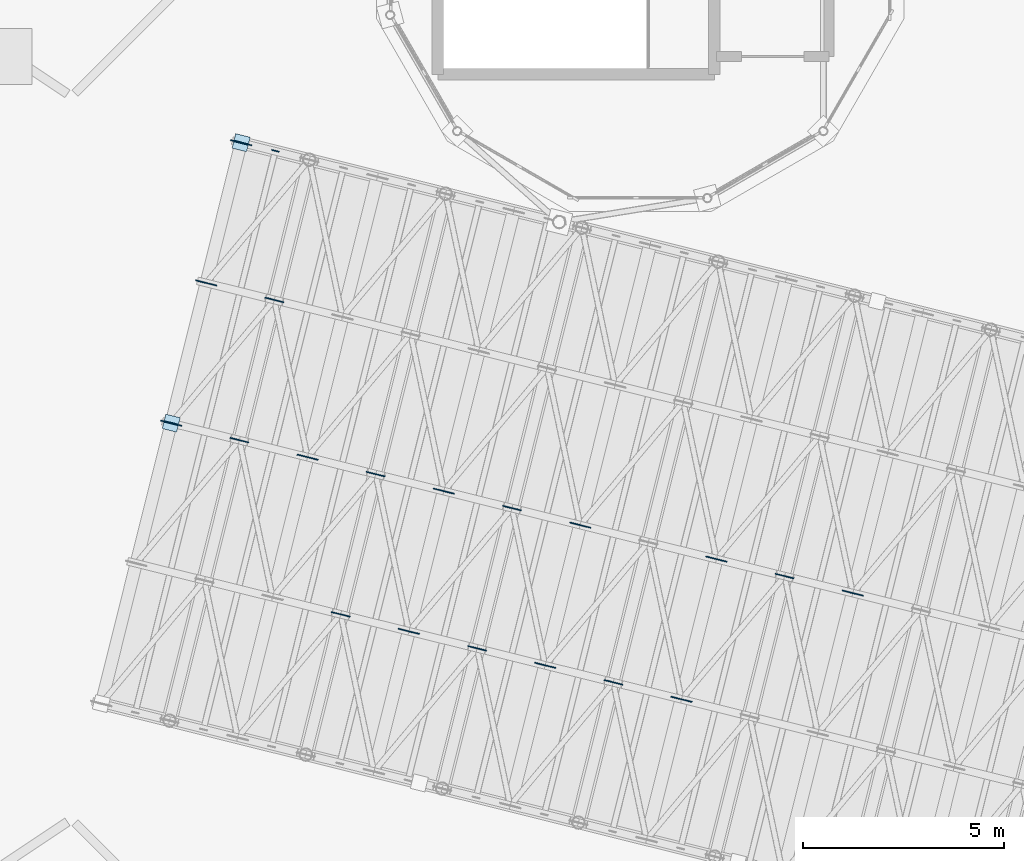
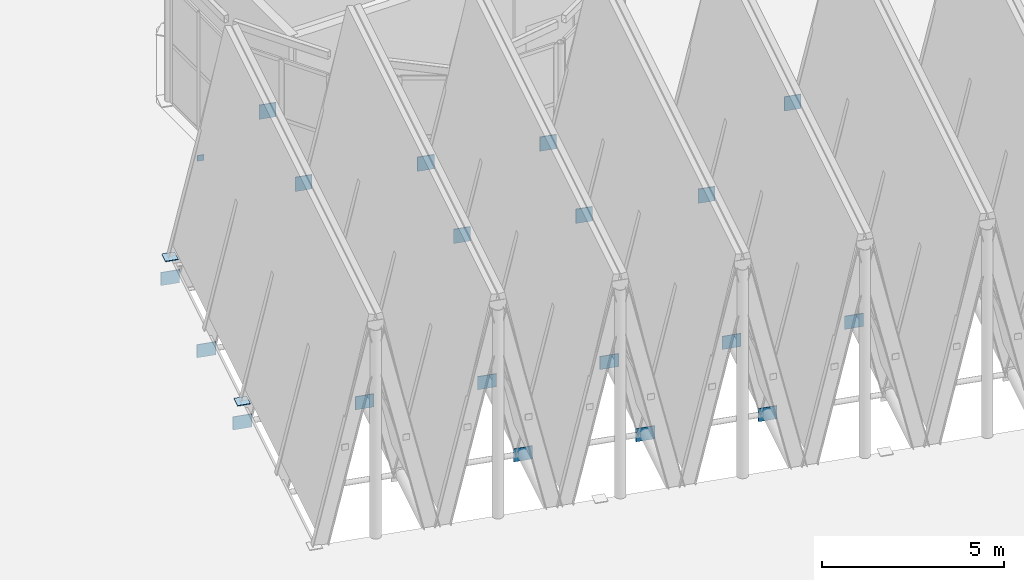
# One storey, part 28 of 51: 22 plates.
"""IFC4 building model written with IfcOpenShell, lengths in metres."""

from ifc_helpers import new_model, si_unit, direction, frame, origin, origin_2d, place, context, subcontext, project, spatial, rectangle, extrude, material, layer, layer_set, type_object, element, save


model = new_model("IFC4")

# Units and contexts
model_context = context("Model", 3, precision=1e-05, world=origin(), true_north=direction((0.0, 1.0)))
body_context = subcontext(model_context, "Body", "Model", "MODEL_VIEW")
ifc_project = project(units=[si_unit("LENGTHUNIT", "METRE"), si_unit("AREAUNIT", "SQUARE_METRE"), si_unit("VOLUMEUNIT", "CUBIC_METRE"), si_unit("PLANEANGLEUNIT", "RADIAN"), si_unit("MASSUNIT", "GRAM", prefix="KILO")], contexts=[model_context])

# Site, building, storey
site_placement = place(None, origin())
site = spatial("IfcSite", under=ifc_project, at=site_placement, CompositionType="ELEMENT")
building_placement = place(site_placement, origin())
building = spatial("IfcBuilding", under=site, at=building_placement, Name="Wrenclough Park School", CompositionType="ELEMENT")
storey_placement = place(building_placement, frame((0.0, 0.0, 16.800048828125)))
storey = spatial("IfcBuildingStorey", under=building, at=storey_placement, Name="L04", CompositionType="ELEMENT", Elevation=16.800048828125)

# Plates
ifc_material = material(Name="Structural steel S355", Category="steel")
ifc_layer_1 = layer(ifc_material, 0.18994140625)
ifc_layer_set_1 = layer_set([ifc_layer_1], Name="Structural steel S355")
plate_type_1 = type_object("IfcPlateType", Name="STR-PL-EP150", PredefinedType="SHEET", material=ifc_layer_set_1)
plate_placement = place(storey_placement, frame((147.107421875, 34.148681640625, 3.066162109375), z_axis=(0.0, 0.0, 1.0), x_axis=(0.2419218956, 0.970295726276, 0.0)))
element("IfcPlate", 1, at=plate_placement, inside=storey, type_object=plate_type_1, Name="D1 purlin 1L N welded sealing end-cap plate", PredefinedType="SHEET", context=body_context, shape_type="SweptSolid", body=[
    extrude(rectangle(XDim=0.02197265625, YDim=0.18994140625, at=origin_2d()), origin(), (0.0, 0.0, 1.0), 0.18994140625),
])
ifc_layer_2 = layer(ifc_material, 0.02197265625)
ifc_layer_set_2 = layer_set([ifc_layer_2], Name="Structural steel S355")
plate_type_2 = type_object("IfcPlateType", Name="STR-PL-EP324", PredefinedType="SHEET", material=ifc_layer_set_2)
for number, where, z_axis, x_axis, name in (
    (2, (144.513916015625, 27.363525390625, 0.0), (0.0, 0.0, 1.0), (0.970295726276, -0.2419218956, 0.0), "Hollow steel column top sealing cap plate D1HR-0-1"),
    (3, (146.255615234375, 34.349609375, 0.0), (0.0, 0.0, 1.0), (0.970295726276, -0.2419218956, 0.0), "Hollow steel column top sealing cap plate D1HR-0-2"),
):
    element("IfcPlate", number, at=place(storey_placement, frame(where, z_axis=z_axis, x_axis=x_axis)), inside=storey, type_object=plate_type_2, Name=name, PredefinedType="SHEET", context=body_context, shape_type="SweptSolid", body=[
        extrude(rectangle(XDim=0.3701171875, YDim=0.3701171875, at=origin_2d()), origin(), (0.0, 0.0, 1.0), 0.02197265625),
    ])
ifc_layer_3 = layer(ifc_material, 0.02490234375)
ifc_layer_set_3 = layer_set([ifc_layer_3], Name="Structural steel S355")
plate_type_3 = type_object("IfcPlateType", Name="STR-PL-KN1", PredefinedType="USERDEFINED", material=ifc_layer_set_3)
for number, where, z_axis, x_axis, name in (
    (4, (146.2119140625, 26.940185546875, 6.762451171875), (0.0, 0.0, 1.0), (0.970295726276, -0.2419218956, 0.0), "D1 ridge apex gusset plate 1.3"),
    (5, (147.082763671875, 30.43310546875, 6.762451171875), (0.0, 0.0, 1.0), (0.970295726276, -0.2419218956, 0.0), "D1 ridge apex gusset plate 1.4"),
    (6, (148.737060546875, 22.600341796875, 6.762451171875), (0.0, 0.0, 1.0), (0.970295726276, -0.2419218956, 0.0), "D1 ridge apex gusset plate 2.2"),
    (7, (149.60791015625, 26.093505859375, 6.762451171875), (0.0, 0.0, 1.0), (0.970295726276, -0.2419218956, 0.0), "D1 ridge apex gusset plate 2.3"),
    (8, (152.133056640625, 21.753662109375, 6.762451171875), (0.0, 0.0, 1.0), (0.970295726276, -0.2419218956, 0.0), "D1 ridge apex gusset plate 3.2"),
    (9, (153.00390625, 25.24658203125, 6.762451171875), (0.0, 0.0, 1.0), (0.970295726276, -0.2419218956, 0.0), "D1 ridge apex gusset plate 3.3"),
    (10, (155.529052734375, 20.906982421875, 6.762451171875), (0.0, 0.0, 1.0), (0.970295726276, -0.2419218956, 0.0), "D1 ridge apex gusset plate 4.2"),
    (11, (159.7958984375, 23.55322265625, 6.762451171875), (0.0, 0.0, 1.0), (0.970295726276, -0.2419218956, 0.0), "D1 ridge apex gusset plate 5.3"),
):
    element("IfcPlate", number, at=place(storey_placement, frame(where, z_axis=z_axis, x_axis=x_axis)), inside=storey, type_object=plate_type_3, Name=name, ObjectType="GUSSET PLATE", PredefinedType="USERDEFINED", context=body_context, shape_type="SweptSolid", body=[
        extrude(rectangle(XDim=0.47998046875, YDim=0.02490234375, at=origin_2d()), origin(), (0.0, 0.0, 1.0), 0.47998046875),
    ])
ifc_layer_4 = layer(ifc_material, 0.02490234375)
ifc_layer_set_4 = layer_set([ifc_layer_4], Name="Structural steel S355")
plate_type_4 = type_object("IfcPlateType", Name="STR-PL-KN2", PredefinedType="USERDEFINED", material=ifc_layer_set_4)
for number, where, z_axis, x_axis, name in (
    (12, (144.513916015625, 27.363525390625, -0.900146484375), (0.0, 0.0, 1.0), (0.970295726276, -0.2419218956, 0.0), "D1 valley node gusset plate 1.3"),
    (13, (145.384765625, 30.856689453125, -0.900146484375), (0.0, 0.0, 1.0), (0.970295726276, -0.2419218956, 0.0), "D1 valley node gusset plate 1.4"),
    (14, (146.255615234375, 34.349609375, -0.900146484375), (0.0, 0.0, 1.0), (0.970295726276, -0.2419218956, 0.0), "D1 valley node gusset plate 1.5"),
    (15, (147.909912109375, 26.516845703125, -0.900146484375), (0.0, 0.0, 1.0), (0.970295726276, -0.2419218956, 0.0), "D1 valley node gusset plate 2.3"),
    (16, (150.43505859375, 22.177001953125, -0.900146484375), (0.0, 0.0, 1.0), (0.970295726276, -0.2419218956, 0.0), "D1 valley node gusset plate 3.2"),
    (17, (151.305908203125, 25.670166015625, -0.900146484375), (0.0, 0.0, 1.0), (0.970295726276, -0.2419218956, 0.0), "D1 valley node gusset plate 3.3"),
    (18, (153.8310546875, 21.330322265625, -0.900146484375), (0.0, 0.0, 1.0), (0.970295726276, -0.2419218956, 0.0), "D1 valley node gusset plate 4.2"),
    (19, (154.701904296875, 24.823486328125, -0.900146484375), (0.0, 0.0, 1.0), (0.970295726276, -0.2419218956, 0.0), "D1 valley node gusset plate 4.3"),
    (20, (157.22705078125, 20.483642578125, -0.900146484375), (0.0, 0.0, 1.0), (0.970295726276, -0.2419218956, 0.0), "D1 valley node gusset plate 5.2"),
    (21, (158.097900390625, 23.9765625, -0.900146484375), (0.0, 0.0, 1.0), (0.970295726276, -0.2419218956, 0.0), "D1 valley node gusset plate 5.3"),
    (22, (161.494140625, 23.1298828125, -0.900146484375), (0.0, 0.0, 1.0), (0.970295726276, -0.2419218956, 0.0), "D1 valley node gusset plate 6.3"),
):
    element("IfcPlate", number, at=place(storey_placement, frame(where, z_axis=z_axis, x_axis=x_axis)), inside=storey, type_object=plate_type_4, Name=name, ObjectType="GUSSET PLATE", PredefinedType="USERDEFINED", context=body_context, shape_type="SweptSolid", body=[
        extrude(rectangle(XDim=0.5400390625, YDim=0.02490234375, at=origin_2d()), origin(), (0.0, 0.0, 1.0), 0.43994140625),
    ])

save(model, "model.ifc")
